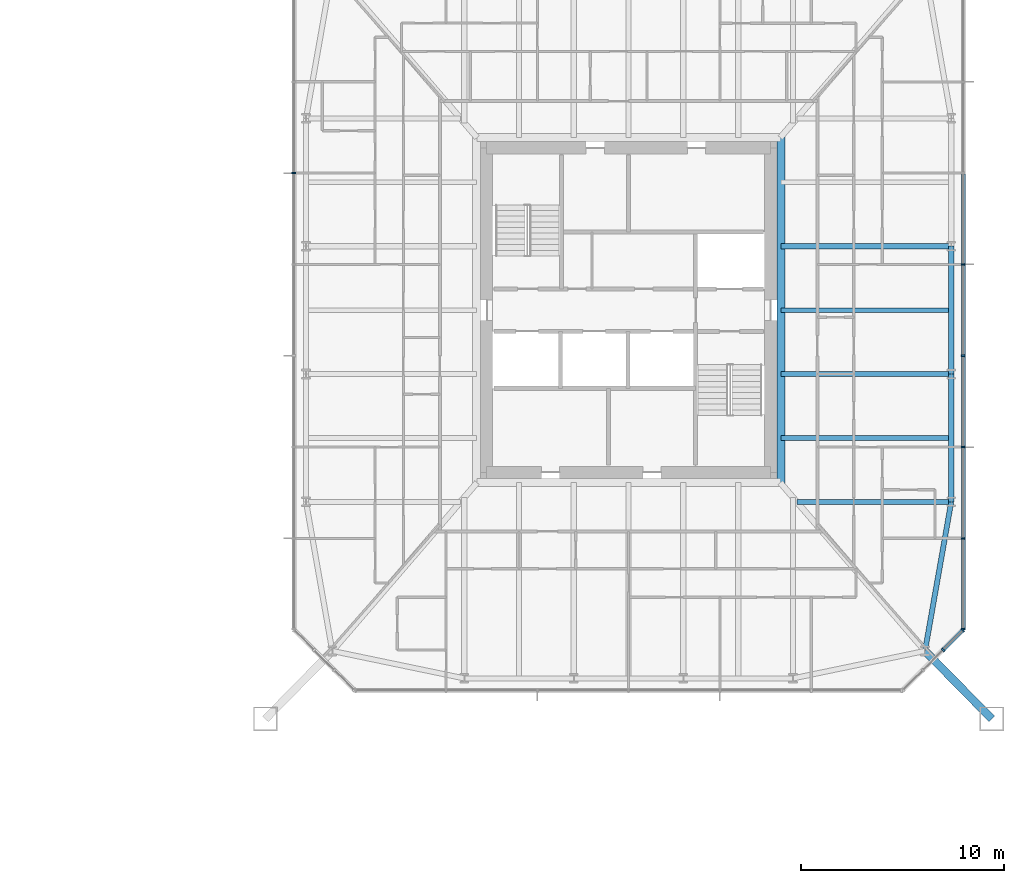
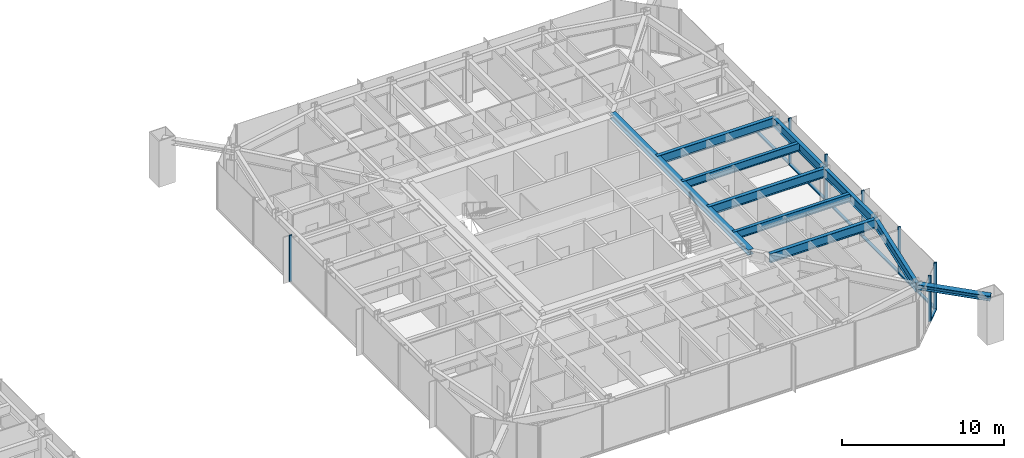
# One storey, part 9 of 26: 15 members, 9 beams, 3 elements without a shape of their own.
"""IFC4 building model written with IfcOpenShell, lengths in metres."""

from ifc_helpers import new_model, si_unit, direction, frame, origin, origin_2d, place, context, subcontext, project, spatial, rectangle, i_section, extrude, material, material_profile, profile_set, type_object, element, aggregate, save


model = new_model("IFC4")

# Units and contexts
model_context = context("Model", 3, precision=1e-05, world=origin(), true_north=direction((0.0, 1.0)))
body_context = subcontext(model_context, "Body", "Model", "MODEL_VIEW")
ifc_project = project(units=[si_unit("LENGTHUNIT", "METRE"), si_unit("AREAUNIT", "SQUARE_METRE"), si_unit("VOLUMEUNIT", "CUBIC_METRE"), si_unit("PLANEANGLEUNIT", "RADIAN"), si_unit("MASSUNIT", "GRAM", prefix="KILO")], contexts=[model_context])

# Site, building, storey
site_placement = place(None, origin())
site = spatial("IfcSite", under=ifc_project, at=site_placement, CompositionType="ELEMENT")
building_placement = place(site_placement, origin())
building = spatial("IfcBuilding", under=site, at=building_placement, Name="Iwan Alto Co-Living Towers", CompositionType="ELEMENT")
storey_placement = place(building_placement, frame((0.0, 0.0, 22.0)))
storey = spatial("IfcBuildingStorey", under=building, at=storey_placement, Name="L05", CompositionType="ELEMENT", Elevation=22.0)

# Curtain wall, members
ifc_material_1 = material(Name="Bronze aluminium unitised frame", Category="aluminium")
curtain_wall_type_1 = type_object("IfcCurtainWallType", Name="CURTAIN WALL CW-C", PredefinedType="NOTDEFINED", material=ifc_material_1)
curtain_wall_1_placement = place(storey_placement, origin())
curtain_wall_1 = element("IfcCurtainWall", 1, at=curtain_wall_1_placement, inside=storey, type_object=curtain_wall_type_1, Name="T2 curtain wall E L05", PredefinedType="NOTDEFINED")
ifc_material_2 = material(Name="Aluminium 6063-T6 bronze anodised", Category="aluminium")
ifc_material_profile_1 = material_profile(ifc_material_2, rectangle(XDim=0.199951171875, YDim=0.080078125, at=origin_2d()), Name="AL 80X200")
ifc_profile_set_1 = profile_set([ifc_material_profile_1], Name="Aluminium 6063-T6 bronze anodised")
member_type_1 = type_object("IfcMemberType", Name="CW-C MULLION 80X200", PredefinedType="MULLION", material=ifc_profile_set_1)
member_1_placement = place(storey_placement, frame((79.5, -15.7099609375, 0.0), z_axis=(0.0, 0.0, 1.0), x_axis=(-1.0, 0.0, 0.0)))
member_1 = element("IfcMember", 2, at=member_1_placement, type_object=member_type_1, Name="CW-C mullion 1", PredefinedType="MULLION", context=body_context, shape_type="SweptSolid", body=[
    extrude(rectangle(XDim=0.199951171875, YDim=0.080078125, at=origin_2d()), origin(), (0.0, 0.0, 1.0), 3.5),
])
member_2_placement = place(storey_placement, frame((79.5, -11.25, 0.0), z_axis=(0.0, 0.0, 1.0), x_axis=(-1.0, 0.0, 0.0)))
member_2 = element("IfcMember", 3, at=member_2_placement, type_object=member_type_1, Name="CW-C mullion 2", PredefinedType="MULLION", context=body_context, shape_type="SweptSolid", body=[
    extrude(rectangle(XDim=0.199951171875, YDim=0.080078125, at=origin_2d()), origin(), (0.0, 0.0, 1.0), 3.5),
])
member_3_placement = place(storey_placement, frame((79.5, -6.75, 0.0), z_axis=(0.0, 0.0, 1.0), x_axis=(-1.0, 0.0, 0.0)))
member_3 = element("IfcMember", 4, at=member_3_placement, type_object=member_type_1, Name="CW-C mullion 3", PredefinedType="MULLION", context=body_context, shape_type="SweptSolid", body=[
    extrude(rectangle(XDim=0.199951171875, YDim=0.080078125, at=origin_2d()), origin(), (0.0, 0.0, 1.0), 3.5),
])
member_4_placement = place(storey_placement, frame((79.5, -2.25, 0.0), z_axis=(0.0, 0.0, 1.0), x_axis=(-1.0, 0.0, 0.0)))
member_4 = element("IfcMember", 5, at=member_4_placement, type_object=member_type_1, Name="CW-C mullion 4", PredefinedType="MULLION", context=body_context, shape_type="SweptSolid", body=[
    extrude(rectangle(XDim=0.199951171875, YDim=0.080078125, at=origin_2d()), origin(), (0.0, 0.0, 1.0), 3.5),
])
member_5_placement = place(storey_placement, frame((79.5, 2.25, 0.0), z_axis=(0.0, 0.0, 1.0), x_axis=(-1.0, 0.0, 0.0)))
member_5 = element("IfcMember", 6, at=member_5_placement, type_object=member_type_1, Name="CW-C mullion 5", PredefinedType="MULLION", context=body_context, shape_type="SweptSolid", body=[
    extrude(rectangle(XDim=0.199951171875, YDim=0.080078125, at=origin_2d()), origin(), (0.0, 0.0, 1.0), 3.5),
])

# Curtain wall, member
curtain_wall_2_placement = place(storey_placement, origin())
curtain_wall_2 = element("IfcCurtainWall", 7, at=curtain_wall_2_placement, inside=storey, type_object=curtain_wall_type_1, Name="T2 curtain wall W L05", PredefinedType="NOTDEFINED")
member_6_placement = place(storey_placement, frame((46.5, 6.75, 0.0), z_axis=(0.0, 0.0, 1.0), x_axis=(1.0, 0.0, 0.0)))
member_6 = element("IfcMember", 8, at=member_6_placement, type_object=member_type_1, Name="CW-C mullion 3", PredefinedType="MULLION", context=body_context, shape_type="SweptSolid", body=[
    extrude(rectangle(XDim=0.199951171875, YDim=0.080078125, at=origin_2d()), origin(), (0.0, 0.0, 1.0), 3.5),
])
aggregate(curtain_wall_2, [member_6])

# Member
ifc_material_3 = material(Name="Aluminium 6063-T6 bronze anodised", Category="aluminium")
ifc_material_profile_2 = material_profile(ifc_material_3, rectangle(XDim=0.199951171875, YDim=0.10009765625, at=origin_2d()), Name="AL 200X100")
ifc_profile_set_2 = profile_set([ifc_material_profile_2], Name="Aluminium 6063-T6 bronze anodised")
member_type_2 = type_object("IfcMemberType", Name="CW-C TRANSOM 200X100", PredefinedType="USERDEFINED", material=ifc_profile_set_2)
member_7_placement = place(storey_placement, frame((79.5, -15.669921875, 0.050048828125), z_axis=(0.0, 1.0, 0.0), x_axis=(-1.0, 0.0, 0.0)))
member_7 = element("IfcMember", 9, at=member_7_placement, type_object=member_type_2, Name="CW-C transom 1.1", ObjectType="TRANSOM", PredefinedType="USERDEFINED", context=body_context, shape_type="SweptSolid", body=[
    extrude(rectangle(XDim=0.199951171875, YDim=0.10009765625, at=origin_2d()), origin(), (0.0, 0.0, 1.0), 4.3798828125),
])

member_8_placement = place(storey_placement, frame((79.5, -11.2099609375, 0.050048828125), z_axis=(0.0, 1.0, 0.0), x_axis=(-1.0, 0.0, 0.0)))
member_8 = element("IfcMember", 10, at=member_8_placement, type_object=member_type_2, Name="CW-C transom 2.1", ObjectType="TRANSOM", PredefinedType="USERDEFINED", context=body_context, shape_type="SweptSolid", body=[
    extrude(rectangle(XDim=0.199951171875, YDim=0.10009765625, at=origin_2d()), origin(), (0.0, 0.0, 1.0), 4.419921875),
])

member_9_placement = place(storey_placement, frame((79.5, -6.7099609375, 0.050048828125), z_axis=(0.0, 1.0, 0.0), x_axis=(-1.0, 0.0, 0.0)))
member_9 = element("IfcMember", 11, at=member_9_placement, type_object=member_type_2, Name="CW-C transom 3.1", ObjectType="TRANSOM", PredefinedType="USERDEFINED", context=body_context, shape_type="SweptSolid", body=[
    extrude(rectangle(XDim=0.199951171875, YDim=0.10009765625, at=origin_2d()), origin(), (0.0, 0.0, 1.0), 4.419921875),
])

member_10_placement = place(storey_placement, frame((79.5, -2.2099609375, 0.050048828125), z_axis=(0.0, 1.0, 0.0), x_axis=(-1.0, 0.0, 0.0)))
member_10 = element("IfcMember", 12, at=member_10_placement, type_object=member_type_2, Name="CW-C transom 4.1", ObjectType="TRANSOM", PredefinedType="USERDEFINED", context=body_context, shape_type="SweptSolid", body=[
    extrude(rectangle(XDim=0.199951171875, YDim=0.10009765625, at=origin_2d()), origin(), (0.0, 0.0, 1.0), 4.419921875),
])

member_11_placement = place(storey_placement, frame((79.5, 2.2900390625, 0.050048828125), z_axis=(0.0, 1.0, 0.0), x_axis=(-1.0, 0.0, 0.0)))
member_11 = element("IfcMember", 13, at=member_11_placement, type_object=member_type_2, Name="CW-C transom 5.1", ObjectType="TRANSOM", PredefinedType="USERDEFINED", context=body_context, shape_type="SweptSolid", body=[
    extrude(rectangle(XDim=0.199951171875, YDim=0.10009765625, at=origin_2d()), origin(), (0.0, 0.0, 1.0), 4.419921875),
])

aggregate(curtain_wall_1, [member_1, member_2, member_3, member_4, member_5, member_7, member_8, member_9, member_10, member_11])

# Curtain wall, members
ifc_material_4 = material(Name="Bronze aluminium unitised frame", Category="aluminium")
curtain_wall_type_2 = type_object("IfcCurtainWallType", Name="CURTAIN WALL CW-D", PredefinedType="NOTDEFINED", material=ifc_material_4)
curtain_wall_3_placement = place(storey_placement, origin())
curtain_wall_3 = element("IfcCurtainWall", 14, at=curtain_wall_3_placement, inside=storey, type_object=curtain_wall_type_2, Name="T2 chamfer curtain wall SE L05", PredefinedType="NOTDEFINED")
ifc_material_5 = material(Name="Aluminium 6063-T6 bronze anodised", Category="aluminium")
ifc_material_profile_3 = material_profile(ifc_material_5, rectangle(XDim=0.199951171875, YDim=0.080078125, at=origin_2d()), Name="AL 80X200")
ifc_profile_set_3 = profile_set([ifc_material_profile_3], Name="Aluminium 6063-T6 bronze anodised")
member_type_3 = type_object("IfcMemberType", Name="CW-D MULLION 80X200", PredefinedType="MULLION", material=ifc_profile_set_3)
member_12_placement = place(storey_placement, frame((78.5, -16.75, 0.0), z_axis=(0.0, 0.0, 1.0), x_axis=(-0.707106781187, 0.707106781187, 0.0)))
member_12 = element("IfcMember", 15, at=member_12_placement, type_object=member_type_3, Name="CW-D mullion 3", PredefinedType="MULLION", context=body_context, shape_type="SweptSolid", body=[
    extrude(rectangle(XDim=0.199951171875, YDim=0.080078125, at=origin_2d()), origin(), (0.0, 0.0, 1.0), 3.5),
])
member_13_placement = place(storey_placement, frame((79.4716796875, -15.7783203125, 0.0), z_axis=(0.0, 0.0, 1.0), x_axis=(-0.707106781187, 0.707106781187, 0.0)))
member_13 = element("IfcMember", 16, at=member_13_placement, type_object=member_type_3, Name="CW-D mullion 4", PredefinedType="MULLION", context=body_context, shape_type="SweptSolid", body=[
    extrude(rectangle(XDim=0.199951171875, YDim=0.080078125, at=origin_2d()), origin(), (0.0, 0.0, 1.0), 3.5),
])
ifc_material_6 = material(Name="Aluminium 6063-T6 bronze anodised", Category="aluminium")
ifc_material_profile_4 = material_profile(ifc_material_6, rectangle(XDim=0.199951171875, YDim=0.10009765625, at=origin_2d()), Name="AL 200X100")
ifc_profile_set_4 = profile_set([ifc_material_profile_4], Name="Aluminium 6063-T6 bronze anodised")
member_type_4 = type_object("IfcMemberType", Name="CW-D TRANSOM 200X100", PredefinedType="USERDEFINED", material=ifc_profile_set_4)
member_14_placement = place(storey_placement, frame((78.5283203125, -16.7216796875, 0.050048828125), z_axis=(0.707106781187, 0.707106781187, 0.0), x_axis=(-0.707106781187, 0.707106781187, 0.0)))
member_14 = element("IfcMember", 17, at=member_14_placement, type_object=member_type_4, Name="CW-D transom 3.1", ObjectType="TRANSOM", PredefinedType="USERDEFINED", context=body_context, shape_type="SweptSolid", body=[
    extrude(rectangle(XDim=0.199951171875, YDim=0.10009765625, at=origin_2d()), origin(), (0.0, 0.0, 1.0), 1.2939453125),
])
aggregate(curtain_wall_3, [member_12, member_13, member_14])

# Beams
ifc_material_7 = material(Name="Steel ASTM A992 Gr 50", Category="steel")
ifc_material_profile_5 = material_profile(ifc_material_7, i_section(OverallWidth=0.40380859375, OverallDepth=0.406494140625, WebThickness=0.027099609375, FlangeThickness=0.043701171875, at=origin_2d()), Name="W14X233")
ifc_profile_set_5 = profile_set([ifc_material_profile_5], Name="Steel ASTM A992 Gr 50")
beam_type_1 = type_object("IfcBeamType", Name="T2 CORE LEDGER BEAM W14X233", PredefinedType="BEAM", material=ifc_profile_set_5)
beam_1_placement = place(storey_placement, frame((70.501953125, -8.534912109375, 3.06689453125), z_axis=(0.0, 1.0, 0.0), x_axis=(-1.0, 0.0, 0.0)))
element("IfcBeam", 18, at=beam_1_placement, inside=storey, type_object=beam_type_1, Name="T2 core ledger beam E L06", PredefinedType="BEAM", context=body_context, shape_type="SweptSolid", body=[
    extrude(i_section(OverallWidth=0.40380859375, OverallDepth=0.406494140625, WebThickness=0.027099609375, FlangeThickness=0.043701171875, at=origin_2d()), origin(), (0.0, 0.0, 1.0), 17.06982421875),
])
ifc_material_8 = material(Name="Steel ASTM A992 Gr 50", Category="steel")
ifc_material_profile_6 = material_profile(ifc_material_8, i_section(OverallWidth=0.25390625, OverallDepth=0.683349609375, WebThickness=0.012451171875, FlangeThickness=0.018798828125, at=origin_2d()), Name="W27X94")
ifc_profile_set_6 = profile_set([ifc_material_profile_6], Name="Steel ASTM A992 Gr 50")
beam_type_2 = type_object("IfcBeamType", Name="T2 EDGE BEAM W27X94", PredefinedType="BEAM", material=ifc_profile_set_6)
beam_2_placement = place(storey_placement, frame((77.606201171875, -16.797119140625, 2.928466796875), z_axis=(0.173413807283, 0.98484905008, 0.0), x_axis=(-0.98484905008, 0.173413807283, 0.0)))
element("IfcBeam", 19, at=beam_2_placement, inside=storey, type_object=beam_type_2, Name="T2 edge beam CSE L06", PredefinedType="BEAM", context=body_context, shape_type="SweptSolid", body=[
    extrude(i_section(OverallWidth=0.25390625, OverallDepth=0.683349609375, WebThickness=0.012451171875, FlangeThickness=0.018798828125, at=origin_2d()), origin(), (0.0, 0.0, 1.0), 7.460205078125),
])
beam_3_placement = place(storey_placement, frame((78.89990234375, -9.449951171875, 2.928466796875), z_axis=(0.0, 1.0, 0.0), x_axis=(-1.0, 0.0, 0.0)))
element("IfcBeam", 20, at=beam_3_placement, inside=storey, type_object=beam_type_2, Name="T2 edge beam E1 L06", PredefinedType="BEAM", context=body_context, shape_type="SweptSolid", body=[
    extrude(i_section(OverallWidth=0.25390625, OverallDepth=0.683349609375, WebThickness=0.012451171875, FlangeThickness=0.018798828125, at=origin_2d()), origin(), (0.0, 0.0, 1.0), 6.300048828125),
])
beam_4_placement = place(storey_placement, frame((78.89990234375, -3.14990234375, 2.928466796875), z_axis=(0.0, 1.0, 0.0), x_axis=(-1.0, 0.0, 0.0)))
element("IfcBeam", 21, at=beam_4_placement, inside=storey, type_object=beam_type_2, Name="T2 edge beam E2 L06", PredefinedType="BEAM", context=body_context, shape_type="SweptSolid", body=[
    extrude(i_section(OverallWidth=0.25390625, OverallDepth=0.683349609375, WebThickness=0.012451171875, FlangeThickness=0.018798828125, at=origin_2d()), origin(), (0.0, 0.0, 1.0), 6.2998046875),
])

# Member
ifc_material_9 = material(Name="Steel ASTM A992 Gr 50", Category="steel")
ifc_material_profile_7 = material_profile(ifc_material_9, i_section(OverallWidth=0.393798828125, OverallDepth=0.3759765625, WebThickness=0.017333984375, FlangeThickness=0.027587890625, at=origin_2d()), Name="W14X145")
ifc_profile_set_7 = profile_set([ifc_material_profile_7], Name="Steel ASTM A992 Gr 50")
member_type_5 = type_object("IfcMemberType", Name="T2 MEGA COLUMN FLOOR TIE W14X145", PredefinedType="STRUT", material=ifc_profile_set_7)
member_15_placement = place(storey_placement, frame((80.89990234375, -20.14990234375, 3.08203125), z_axis=(-0.700793469544, 0.71336422187, 0.0), x_axis=(-0.71336422187, -0.700793469544, 0.0)))
element("IfcMember", 22, at=member_15_placement, inside=storey, type_object=member_type_5, Name="T2 mega column floor tie SE L06", PredefinedType="STRUT", context=body_context, shape_type="SweptSolid", body=[
    extrude(i_section(OverallWidth=0.393798828125, OverallDepth=0.3759765625, WebThickness=0.017333984375, FlangeThickness=0.027587890625, at=origin_2d()), origin(), (0.0, 0.0, 1.0), 4.699951171875),
])

# Beams
ifc_material_10 = material(Name="Steel ASTM A992 Gr 50", Category="steel")
ifc_material_profile_8 = material_profile(ifc_material_10, i_section(OverallWidth=0.25390625, OverallDepth=0.683349609375, WebThickness=0.012451171875, FlangeThickness=0.018798828125, at=origin_2d()), Name="W27X94")
ifc_profile_set_8 = profile_set([ifc_material_profile_8], Name="Steel ASTM A992 Gr 50")
beam_type_3 = type_object("IfcBeamType", Name="T2 RADIAL BEAM W27X94", PredefinedType="BEAM", material=ifc_profile_set_8)
beam_5_placement = place(storey_placement, frame((78.89990234375, -9.449951171875, 2.928466796875), z_axis=(-1.0, 0.0, 0.0), x_axis=(0.0, -1.0, 0.0)))
element("IfcBeam", 23, at=beam_5_placement, inside=storey, type_object=beam_type_3, Name="T2 radial beam E1 L06", PredefinedType="BEAM", context=body_context, shape_type="SweptSolid", body=[
    extrude(i_section(OverallWidth=0.25390625, OverallDepth=0.683349609375, WebThickness=0.012451171875, FlangeThickness=0.018798828125, at=origin_2d()), origin(), (0.0, 0.0, 1.0), 7.611083984375),
])
for number, where, z_axis, x_axis, name in (
    (24, (78.89990234375, -3.14990234375, 2.928466796875), (-1.0, 0.0, 0.0), (0.0, -1.0, 0.0), "T2 radial beam E2 L06"),
    (25, (78.89990234375, 3.14990234375, 2.928466796875), (-1.0, 0.0, 0.0), (0.0, -1.0, 0.0), "T2 radial beam E3 L06"),
):
    element("IfcBeam", number, at=place(storey_placement, frame(where, z_axis=z_axis, x_axis=x_axis)), inside=storey, type_object=beam_type_3, Name=name, PredefinedType="BEAM", context=body_context, shape_type="SweptSolid", body=[
        extrude(i_section(OverallWidth=0.25390625, OverallDepth=0.683349609375, WebThickness=0.012451171875, FlangeThickness=0.018798828125, at=origin_2d()), origin(), (0.0, 0.0, 1.0), 8.39794921875),
    ])
ifc_material_11 = material(Name="Steel ASTM A992 Gr 50", Category="steel")
ifc_material_profile_9 = material_profile(ifc_material_11, i_section(OverallWidth=0.228271484375, OverallDepth=0.607177734375, WebThickness=0.01123046875, FlangeThickness=0.017333984375, at=origin_2d()), Name="W24X76")
ifc_profile_set_9 = profile_set([ifc_material_profile_9], Name="Steel ASTM A992 Gr 50")
beam_type_4 = type_object("IfcBeamType", Name="T2 SECONDARY BEAM W24X76", PredefinedType="JOIST", material=ifc_profile_set_9)
for number, where, z_axis, x_axis, name in (
    (26, (78.89990234375, -6.300048828125, 2.966552734375), (-1.0, 0.0, 0.0), (0.0, -1.0, 0.0), "T2 secondary beam E1 L06"),
    (27, (78.89990234375, 0.0, 2.966552734375), (-1.0, 0.0, 0.0), (0.0, -1.0, 0.0), "T2 secondary beam E2 L06"),
):
    element("IfcBeam", number, at=place(storey_placement, frame(where, z_axis=z_axis, x_axis=x_axis)), inside=storey, type_object=beam_type_4, Name=name, PredefinedType="JOIST", context=body_context, shape_type="SweptSolid", body=[
        extrude(i_section(OverallWidth=0.228271484375, OverallDepth=0.607177734375, WebThickness=0.01123046875, FlangeThickness=0.017333984375, at=origin_2d()), origin(), (0.0, 0.0, 1.0), 8.39794921875),
    ])

save(model, "model.ifc")
